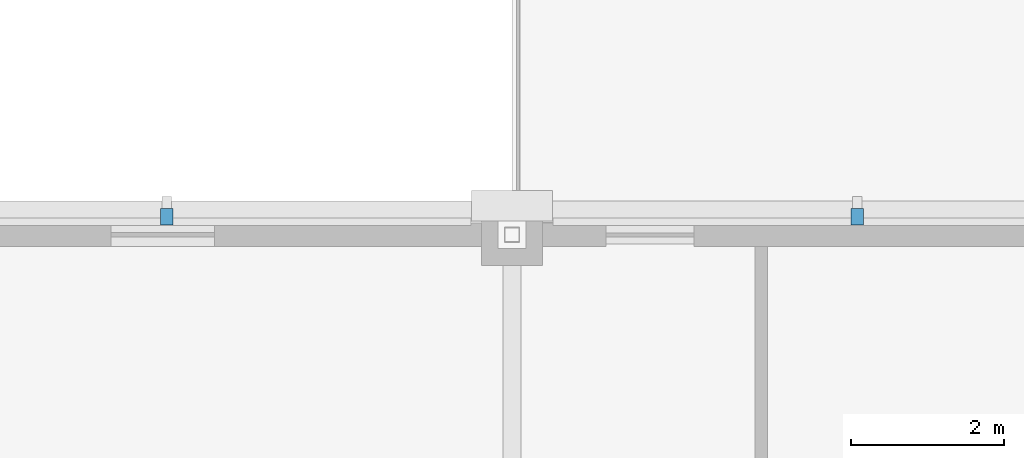
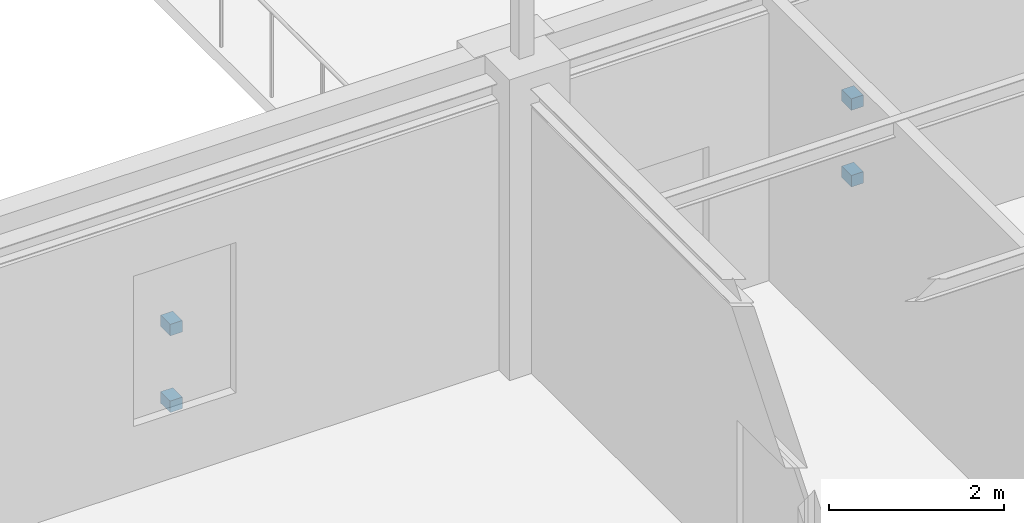
# One storey, part 34 of 36: 4 discrete accessories.
"""IFC4 building model written with IfcOpenShell, lengths in metres."""

from ifc_helpers import new_model, si_unit, direction, frame, origin, origin_2d, place, context, subcontext, project, spatial, rectangle, extrude, material, type_object, element, save


model = new_model("IFC4")

# Units and contexts
model_context = context("Model", 3, precision=1e-05, world=origin(), true_north=direction((0.0, 1.0)))
body_context = subcontext(model_context, "Body", "Model", "MODEL_VIEW")
ifc_project = project(units=[si_unit("LENGTHUNIT", "METRE"), si_unit("AREAUNIT", "SQUARE_METRE"), si_unit("VOLUMEUNIT", "CUBIC_METRE"), si_unit("PLANEANGLEUNIT", "RADIAN"), si_unit("MASSUNIT", "GRAM", prefix="KILO")], contexts=[model_context])

# Site, building, storey
site_placement = place(None, origin())
site = spatial("IfcSite", under=ifc_project, at=site_placement, CompositionType="ELEMENT")
building_placement = place(site_placement, origin())
building = spatial("IfcBuilding", under=site, at=building_placement, Name="Lykobir Media Centre", CompositionType="ELEMENT")
storey_placement = place(building_placement, frame((0.0, 0.0, 27.60009765625)))
storey = spatial("IfcBuildingStorey", under=building, at=storey_placement, Name="L06", CompositionType="ELEMENT", Elevation=27.60009765625)

# Discrete accessories
ifc_material = material(Name="Steel S355", Category="steel")
discrete_accessory_type = type_object("IfcDiscreteAccessoryType", Name="ACC-BRK", PredefinedType="BRACKET", material=ifc_material)
for number, where, z_axis, x_axis, name in (
    (1, (31.5, 45.235107421875, 0.69970703125), (0.0, 0.0, 1.0), (-1.0, 0.0, 0.0), "Cumba corbel bracket 237"),
    (2, (31.5, 45.235107421875, 1.77001953125), (0.0, 0.0, 1.0), (-1.0, 0.0, 0.0), "Shading fin bracket 238"),
    (3, (22.5, 45.235107421875, 0.69970703125), (0.0, 0.0, 1.0), (-1.0, 0.0, 0.0), "Cumba corbel bracket 239"),
    (4, (22.5, 45.235107421875, 1.77001953125), (0.0, 0.0, 1.0), (-1.0, 0.0, 0.0), "Shading fin bracket 240"),
):
    element("IfcDiscreteAccessory", number, at=place(storey_placement, frame(where, z_axis=z_axis, x_axis=x_axis)), inside=storey, type_object=discrete_accessory_type, Name=name, PredefinedType="BRACKET", context=body_context, shape_type="SweptSolid", body=[
        extrude(rectangle(XDim=0.159912109375, YDim=0.219970703125, at=origin_2d()), origin(), (0.0, 0.0, 1.0), 0.159912109375),
    ])

save(model, "model.ifc")
